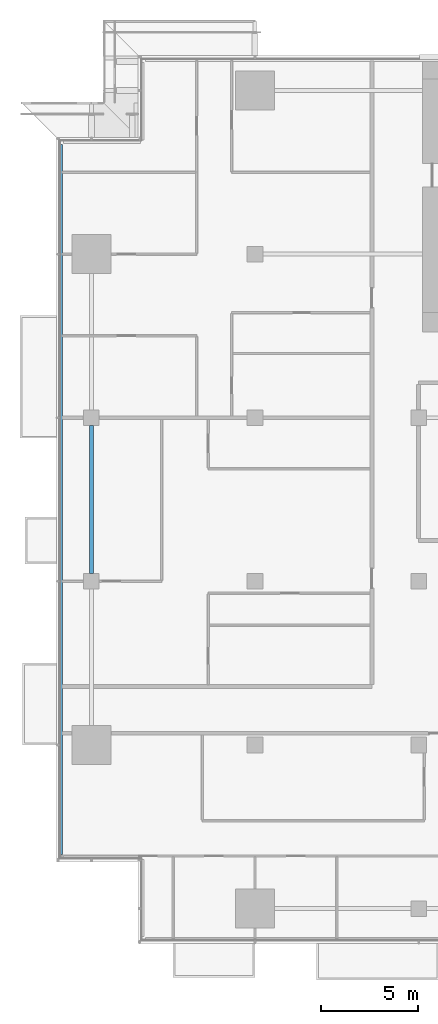
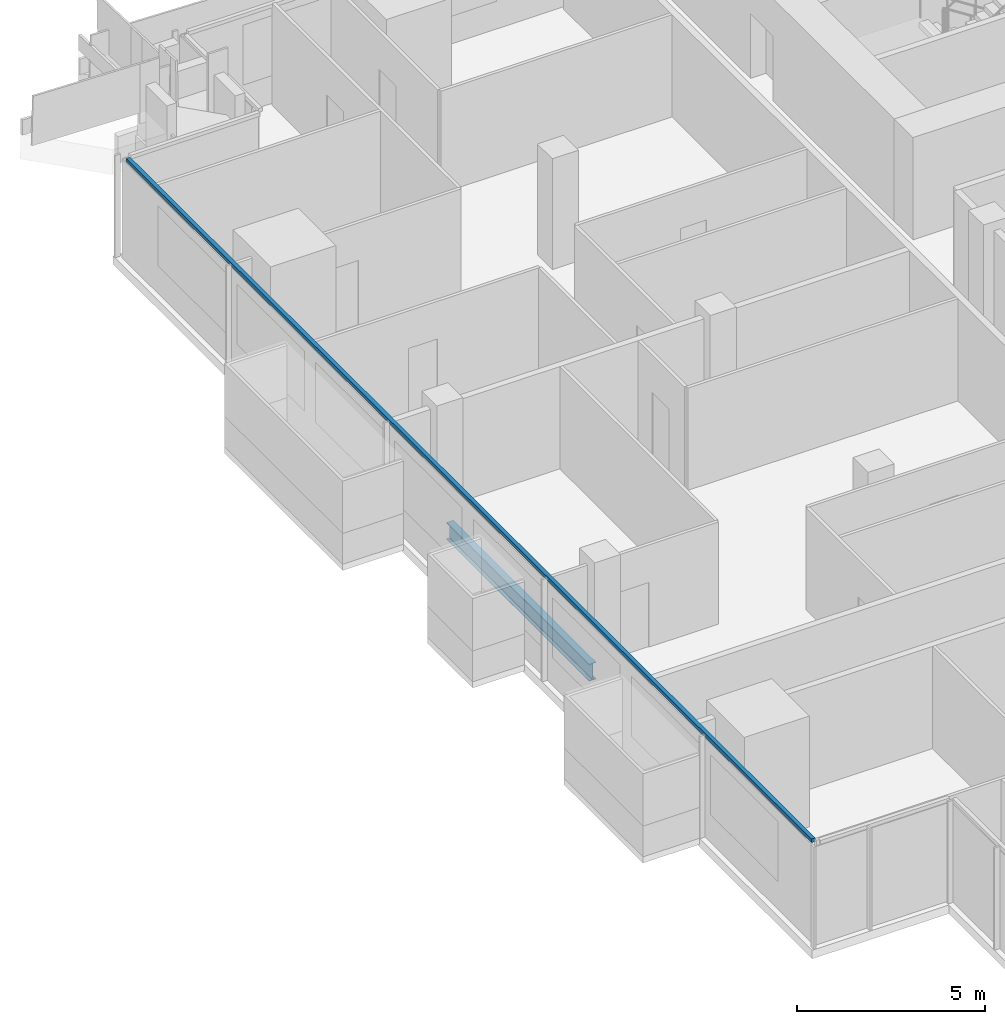
# One storey, part 3 of 29: 1 beam, 1 member, 1 element without a shape of its own.
"""IFC4 building model written with IfcOpenShell, lengths in metres."""

from ifc_helpers import new_model, si_unit, direction, frame, origin, origin_2d, place, context, subcontext, project, spatial, rectangle, i_section, extrude, material, material_profile, profile_set, type_object, element, aggregate, save


model = new_model("IFC4")

# Units and contexts
model_context = context("Model", 3, precision=1e-05, world=origin(), true_north=direction((0.0, 1.0)))
body_context = subcontext(model_context, "Body", "Model", "MODEL_VIEW")
ifc_project = project(units=[si_unit("LENGTHUNIT", "METRE"), si_unit("AREAUNIT", "SQUARE_METRE"), si_unit("VOLUMEUNIT", "CUBIC_METRE"), si_unit("PLANEANGLEUNIT", "RADIAN"), si_unit("MASSUNIT", "GRAM", prefix="KILO")], contexts=[model_context])

# Site, building, storey
site_placement = place(None, origin())
site = spatial("IfcSite", under=ifc_project, at=site_placement, CompositionType="ELEMENT")
building_placement = place(site_placement, origin())
building = spatial("IfcBuilding", under=site, at=building_placement, Name="Saffron Gate Tower", CompositionType="ELEMENT")
storey_placement = place(building_placement, frame((0.0, 0.0, 106.050048828125)))
storey = spatial("IfcBuildingStorey", under=building, at=storey_placement, Name="L24", CompositionType="ELEMENT", Elevation=106.050048828125)

# Beam
ifc_material_1 = material(Name="Structural steel S355", Category="steel")
ifc_material_profile_1 = material_profile(ifc_material_1, i_section(OverallWidth=0.2099609375, OverallDepth=0.550048828125, WebThickness=0.010986328125, FlangeThickness=0.01708984375, FilletRadius=0.02392578125, at=origin_2d()))
ifc_profile_set_1 = profile_set([ifc_material_profile_1], Name="Structural steel S355")
beam_type = type_object("IfcBeamType", Name="B13 IPE 550", PredefinedType="SPANDREL", material=ifc_profile_set_1)
beam_placement = place(storey_placement, frame((49.800048828125, 49.0, -0.554931640625), z_axis=(0.0, 1.0, 0.0), x_axis=(-1.0, 0.0, 0.0)))
element("IfcBeam", 1, at=beam_placement, inside=storey, type_object=beam_type, Name="B13 SPANDREL BEAM", PredefinedType="SPANDREL", context=body_context, shape_type="SweptSolid", body=[
    extrude(i_section(OverallWidth=0.2099609375, OverallDepth=0.550048828125, WebThickness=0.010986328125, FlangeThickness=0.01708984375, FilletRadius=0.02392578125, at=origin_2d()), origin(), (0.0, 0.0, 1.0), 7.60009765625),
])

# Curtain wall, member
ifc_material_2 = material(Name="Aluminium, bronze anodised", Category="aluminium")
curtain_wall_type = type_object("IfcCurtainWallType", Name="CWS2 curtain wall side facades", PredefinedType="NOTDEFINED", material=ifc_material_2)
curtain_wall_placement = place(storey_placement, origin())
curtain_wall = element("IfcCurtainWall", 2, at=curtain_wall_placement, inside=storey, type_object=curtain_wall_type, Name="CWS2 run 10", PredefinedType="NOTDEFINED")
ifc_material_profile_2 = material_profile(ifc_material_2, rectangle(XDim=0.1201171875, YDim=0.1201171875, at=origin_2d()))
ifc_profile_set_2 = profile_set([ifc_material_profile_2], Name="Aluminium, bronze anodised")
member_type = type_object("IfcMemberType", Name="CWS2 head transom", PredefinedType="USERDEFINED", material=ifc_profile_set_2)
member_placement = place(storey_placement, frame((48.248046875, 71.031982421875, 3.260009765625), z_axis=(0.0, -1.0, 0.0), x_axis=(1.0, 0.0, 0.0)))
member = element("IfcMember", 3, at=member_placement, type_object=member_type, Name="CWS2 head transom", ObjectType="TRANSOM", PredefinedType="USERDEFINED", context=body_context, shape_type="SweptSolid", body=[
    extrude(rectangle(XDim=0.1201171875, YDim=0.1201171875, at=origin_2d()), origin(), (0.0, 0.0, 1.0), 36.4638671875),
])
aggregate(curtain_wall, [member])

save(model, "model.ifc")
